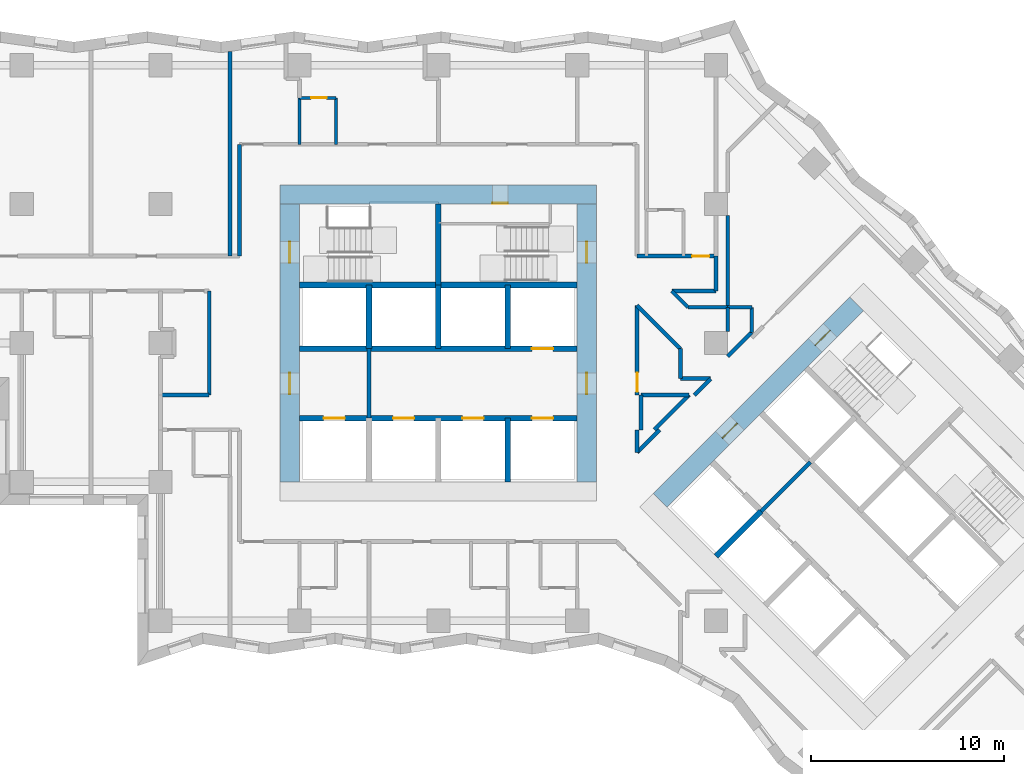
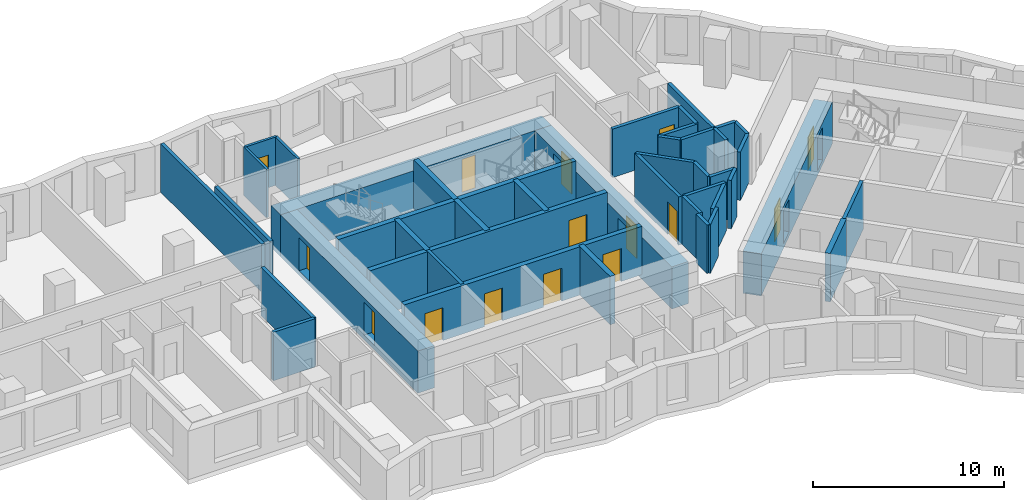
# One storey, part 5 of 12: 43 walls, 15 doors, 15 openings.
"""IFC4 building model written with IfcOpenShell, lengths in metres."""

from ifc_helpers import new_model, si_unit, direction, frame, frame_2d, origin, place, context, subcontext, project, spatial, rectangle, extrude, material, layer, layer_set, type_object, element, fill, save


model = new_model("IFC4")

# Units and contexts
model_context = context("Model", 3, precision=1e-05, world=origin(), true_north=direction((0.0, 1.0)))
body_context = subcontext(model_context, "Body", "Model", "MODEL_VIEW")
ifc_project = project(units=[si_unit("LENGTHUNIT", "METRE"), si_unit("AREAUNIT", "SQUARE_METRE"), si_unit("VOLUMEUNIT", "CUBIC_METRE"), si_unit("PLANEANGLEUNIT", "RADIAN"), si_unit("MASSUNIT", "GRAM", prefix="KILO")], contexts=[model_context])

# Site, building, storey
site_placement = place(None, origin())
site = spatial("IfcSite", under=ifc_project, at=site_placement, CompositionType="ELEMENT")
building_placement = place(site_placement, origin())
building = spatial("IfcBuilding", under=site, at=building_placement, Name="Windrow Commons", CompositionType="ELEMENT")
storey_placement = place(building_placement, frame((0.0, 0.0, 54.2)))
storey = spatial("IfcBuildingStorey", under=building, at=storey_placement, Name="L14", CompositionType="ELEMENT", Elevation=54.2)

# Walls
ifc_material_1 = material(Name="Blockwork partition", Category="masonry")
ifc_layer_1 = layer(ifc_material_1, 0.2)
ifc_layer_set_1 = layer_set([ifc_layer_1], Name="Fire lobby partition 200")
wall_type_1 = type_object("IfcWallType", Name="Fire lobby partition 200", PredefinedType="PARTITIONING", material=ifc_layer_set_1)
for number, where, z_axis, x_axis, name in (
    (1, (61.2, 53.7, 0.0), (0.0, 0.0, 1.0), (0.0, 1.0, 0.0), "W-core-lobby-A-L14"),
    (2, (81.5335, 48.8776, 0.0), (0.0, 0.0, 1.0), (0.707092892, 0.7071206701, 0.0), "W-core-lobby-B-L14"),
):
    element("IfcWall", number, at=place(storey_placement, frame(where, z_axis=z_axis, x_axis=x_axis)), inside=storey, type_object=wall_type_1, Name=name, PredefinedType="PARTITIONING", context=body_context, shape_type="SweptSolid", body=[
        extrude(rectangle(XDim=3.6, YDim=0.2, at=frame_2d((1.8, 0.0))), origin(), (0.0, 0.0, 1.0), 3.1),
    ])
ifc_material_2 = material(Name="Blockwork partition", Category="masonry")
ifc_layer_2 = layer(ifc_material_2, 0.2)
ifc_layer_set_2 = layer_set([ifc_layer_2], Name="IW-CORRIDOR-200")
wall_type_2 = type_object("IfcWallType", Name="IW-CORRIDOR-200", PredefinedType="PARTITIONING", material=ifc_layer_set_2)
wall_1_placement = place(storey_placement, frame((54.5, 62.102, 0.0), z_axis=(0.0, 0.0, 1.0), x_axis=(0.0, 1.0, 0.0)))
element("IfcWall", 3, at=wall_1_placement, inside=storey, type_object=wall_type_2, Name="W-L14-W033", PredefinedType="PARTITIONING", context=body_context, shape_type="SweptSolid", body=[
    extrude(rectangle(XDim=5.798, YDim=0.2, at=frame_2d((2.899, 0.0))), origin(), (0.0, 0.0, 1.0), 3.1),
])
wall_2_placement = place(storey_placement, frame((52.92, 54.9, 0.0), z_axis=(0.0, 0.0, 1.0), x_axis=(0.0, 1.0, 0.0)))
element("IfcWall", 4, at=wall_2_placement, inside=storey, type_object=wall_type_2, Name="W-L14-W039", PredefinedType="PARTITIONING", context=body_context, shape_type="SweptSolid", body=[
    extrude(rectangle(XDim=5.4, YDim=0.2, at=frame_2d((2.7, 0.0))), origin(), (0.0, 0.0, 1.0), 3.1),
])

# Wall, opening, door
wall_3_placement = place(storey_placement, frame((75.1, 54.9, 0.0), z_axis=(0.0, 0.0, 1.0), x_axis=(0.0, 1.0, 0.0)))
wall_3 = element("IfcWall", 5, at=wall_3_placement, inside=storey, type_object=wall_type_2, Name="W-L14-W043", PredefinedType="PARTITIONING", context=body_context, shape_type="SweptSolid", body=[
    extrude(rectangle(XDim=4.652, YDim=0.2, at=frame_2d((2.326, 0.0))), origin(), (0.0, 0.0, 1.0), 3.1),
])
opening_1_placement = place(wall_3_placement, frame((0.1613, 0.0, 0.0)))
opening_1 = element("IfcOpeningElement", 6, at=opening_1_placement, cuts=wall_3, Name="Opening D410F", PredefinedType="OPENING", context=body_context, shape_type="SweptSolid", body=[
    extrude(rectangle(XDim=1.0, YDim=2.1, at=frame_2d((0.5, 1.05))), frame((0.0, 0.11, 0.0), z_axis=(0.0, -1.0, 0.0), x_axis=(1.0, 0.0, 0.0)), (0.0, 0.0, 1.0), 0.22),
])
ifc_material_3 = material(Name="Timber door leaf", Category="wood")
door_type_1 = type_object("IfcDoorType", Name="DT-SERVICE-1000", OperationType="SINGLE_SWING_LEFT", PredefinedType="DOOR", material=ifc_material_3)
door_1_placement = place(opening_1_placement, origin())
door_1 = element("IfcDoor", 7, at=door_1_placement, inside=storey, type_object=door_type_1, Name="D-L14-D000", OperationType="SINGLE_SWING_LEFT", OverallHeight=2.1, OverallWidth=1.0, PredefinedType="DOOR", context=body_context, shape_type="SweptSolid", body=[
    extrude(rectangle(XDim=1.0, YDim=2.1, at=frame_2d((0.5, 1.05))), frame((0.0, 0.025, 0.0), z_axis=(0.0, -1.0, 0.0), x_axis=(1.0, 0.0, 0.0)), (0.0, 0.0, 1.0), 0.05),
])
fill(opening_1, door_1)

wall_4_placement = place(storey_placement, frame((75.102, 62.1, 0.0), z_axis=(0.0, 0.0, 1.0), x_axis=(1.0, 0.0, 0.0)))
wall_4 = element("IfcWall", 8, at=wall_4_placement, inside=storey, type_object=wall_type_2, Name="W-L14-W049", PredefinedType="PARTITIONING", context=body_context, shape_type="SweptSolid", body=[
    extrude(rectangle(XDim=4.098, YDim=0.2, at=frame_2d((2.049, 0.0))), origin(), (0.0, 0.0, 1.0), 3.1),
])
opening_2_placement = place(wall_4_placement, frame((2.848, 0.0, 0.0)))
opening_2 = element("IfcOpeningElement", 9, at=opening_2_placement, cuts=wall_4, Name="Opening D109S", PredefinedType="OPENING", context=body_context, shape_type="SweptSolid", body=[
    extrude(rectangle(XDim=0.9, YDim=2.1, at=frame_2d((0.45, 1.05))), frame((0.0, 0.11, 0.0), z_axis=(0.0, -1.0, 0.0), x_axis=(1.0, 0.0, 0.0)), (0.0, 0.0, 1.0), 0.22),
])
ifc_material_4 = material(Name="Timber door leaf", Category="wood")
door_type_2 = type_object("IfcDoorType", Name="DT-BEDROOM-900", OperationType="SINGLE_SWING_LEFT", PredefinedType="DOOR", material=ifc_material_4)
door_2_placement = place(opening_2_placement, origin())
door_2 = element("IfcDoor", 10, at=door_2_placement, inside=storey, type_object=door_type_2, Name="D-L14-D012", OperationType="SINGLE_SWING_LEFT", OverallHeight=2.1, OverallWidth=0.9, PredefinedType="DOOR", context=body_context, shape_type="SweptSolid", body=[
    extrude(rectangle(XDim=0.9, YDim=2.1, at=frame_2d((0.45, 1.05))), frame((0.0, 0.025, 0.0), z_axis=(0.0, -1.0, 0.0), x_axis=(1.0, 0.0, 0.0)), (0.0, 0.0, 1.0), 0.05),
])
fill(opening_2, door_2)

# Walls
wall_5_placement = place(storey_placement, frame((75.0986, 59.5486, 0.0), z_axis=(0.0, 0.0, 1.0), x_axis=(0.7071067812, -0.7071067812, 0.0)))
element("IfcWall", 11, at=wall_5_placement, inside=storey, type_object=wall_type_2, Name="W-L14-W055", PredefinedType="PARTITIONING", context=body_context, shape_type="SweptSolid", body=[
    extrude(rectangle(XDim=3.1792, YDim=0.2, at=frame_2d((1.5896, 0.0))), origin(), (0.0, 0.0, 1.0), 3.1),
])
wall_6_placement = place(storey_placement, frame((75.9971, 53.1009, 0.0), z_axis=(0.0, 0.0, 1.0), x_axis=(0.7071067812, 0.7071067812, 0.0)))
element("IfcWall", 12, at=wall_6_placement, inside=storey, type_object=wall_type_2, Name="W-L14-W062", PredefinedType="PARTITIONING", context=body_context, shape_type="SweptSolid", body=[
    extrude(rectangle(XDim=2.5456, YDim=0.2, at=frame_2d((1.2728, 0.0))), origin(), (0.0, 0.0, 1.0), 3.1),
])
wall_7_placement = place(storey_placement, frame((50.4, 54.9, 0.0), z_axis=(0.0, 0.0, 1.0), x_axis=(1.0, 0.0, 0.0)))
element("IfcWall", 13, at=wall_7_placement, inside=storey, type_object=wall_type_2, Name="W-L14-W063", PredefinedType="PARTITIONING", context=body_context, shape_type="SweptSolid", body=[
    extrude(rectangle(XDim=2.51, YDim=0.2, at=frame_2d((1.255, 0.0))), origin(), (0.0, 0.0, 1.0), 3.1),
])
wall_8_placement = place(storey_placement, frame((76.902, 60.3, 0.0), z_axis=(0.0, 0.0, 1.0), x_axis=(1.0, 0.0, 0.0)))
element("IfcWall", 14, at=wall_8_placement, inside=storey, type_object=wall_type_2, Name="W-L14-W094", PredefinedType="PARTITIONING", context=body_context, shape_type="SweptSolid", body=[
    extrude(rectangle(XDim=2.298, YDim=0.2, at=frame_2d((1.149, 0.0))), origin(), (0.0, 0.0, 1.0), 3.1),
])
wall_9_placement = place(storey_placement, frame((77.75, 59.45, 0.0), z_axis=(0.0, 0.0, 1.0), x_axis=(1.0, 0.0, 0.0)))
element("IfcWall", 15, at=wall_9_placement, inside=storey, type_object=wall_type_2, Name="W-L14-W104", PredefinedType="PARTITIONING", context=body_context, shape_type="SweptSolid", body=[
    extrude(rectangle(XDim=2.05, YDim=0.2, at=frame_2d((1.025, 0.0))), origin(), (0.0, 0.0, 1.0), 3.1),
])
for number, where, z_axis, x_axis, name in (
    (16, (79.2, 60.3, 0.0), (0.0, 0.0, 1.0), (0.0, 1.0, 0.0), "W-L14-W127"),
    (17, (75.3, 53.1, 0.0), (0.0, 0.0, 1.0), (0.0, 1.0, 0.0), "W-L14-W129"),
):
    element("IfcWall", number, at=place(storey_placement, frame(where, z_axis=z_axis, x_axis=x_axis)), inside=storey, type_object=wall_type_2, Name=name, PredefinedType="PARTITIONING", context=body_context, shape_type="SweptSolid", body=[
        extrude(rectangle(XDim=1.8, YDim=0.2, at=frame_2d((0.9, 0.0))), origin(), (0.0, 0.0, 1.0), 3.1),
    ])
wall_10_placement = place(storey_placement, frame((79.8011, 56.9049, 0.0), z_axis=(0.0, 0.0, 1.0), x_axis=(0.7071067812, 0.7071067812, 0.0)))
element("IfcWall", 18, at=wall_10_placement, inside=storey, type_object=wall_type_2, Name="W-L14-W133", PredefinedType="PARTITIONING", context=body_context, shape_type="SweptSolid", body=[
    extrude(rectangle(XDim=1.7649, YDim=0.2, at=frame_2d((0.8824, 0.0))), origin(), (0.0, 0.0, 1.0), 3.1),
])
wall_11_placement = place(storey_placement, frame((75.1015, 51.9225, 0.0), z_axis=(0.0, 0.0, 1.0), x_axis=(0.7071067812, 0.7071067812, 0.0)))
element("IfcWall", 19, at=wall_11_placement, inside=storey, type_object=wall_type_2, Name="W-L14-W135", PredefinedType="PARTITIONING", context=body_context, shape_type="SweptSolid", body=[
    extrude(rectangle(XDim=1.6631, YDim=0.2, at=frame_2d((0.8316, 0.0))), origin(), (0.0, 0.0, 1.0), 3.1),
])
for number, where, z_axis, x_axis, name in (
    (20, (77.35, 55.752, 0.0), (0.0, 0.0, 1.0), (0.0, 1.0, 0.0), "W-L14-W136"),
    (21, (77.352, 55.75, 0.0), (0.0, 0.0, 1.0), (1.0, 0.0, 0.0), "W-L14-W137"),
):
    element("IfcWall", number, at=place(storey_placement, frame(where, z_axis=z_axis, x_axis=x_axis)), inside=storey, type_object=wall_type_2, Name=name, PredefinedType="PARTITIONING", context=body_context, shape_type="SweptSolid", body=[
        extrude(rectangle(XDim=1.552, YDim=0.2, at=frame_2d((0.776, 0.0))), origin(), (0.0, 0.0, 1.0), 3.1),
    ])
wall_12_placement = place(storey_placement, frame((79.8, 58.2, 0.0), z_axis=(0.0, 0.0, 1.0), x_axis=(0.0, 1.0, 0.0)))
element("IfcWall", 22, at=wall_12_placement, inside=storey, type_object=wall_type_2, Name="W-L14-W143", PredefinedType="PARTITIONING", context=body_context, shape_type="SweptSolid", body=[
    extrude(rectangle(XDim=1.25, YDim=0.2, at=frame_2d((0.625, 0.0))), origin(), (0.0, 0.0, 1.0), 3.1),
])
wall_13_placement = place(storey_placement, frame((76.8974, 60.2954, 0.0), z_axis=(0.0, 0.0, 1.0), x_axis=(0.7071067812, -0.7071067812, 0.0)))
element("IfcWall", 23, at=wall_13_placement, inside=storey, type_object=wall_type_2, Name="W-L14-W145", PredefinedType="PARTITIONING", context=body_context, shape_type="SweptSolid", body=[
    extrude(rectangle(XDim=1.1993, YDim=0.2, at=frame_2d((0.5997, 0.0))), origin(), (0.0, 0.0, 1.0), 3.1),
])
wall_14_placement = place(storey_placement, frame((78.0795, 54.9005, 0.0), z_axis=(0.0, 0.0, 1.0), x_axis=(0.7071067812, 0.7071067812, 0.0)))
element("IfcWall", 24, at=wall_14_placement, inside=storey, type_object=wall_type_2, Name="W-L14-W146", PredefinedType="PARTITIONING", context=body_context, shape_type="SweptSolid", body=[
    extrude(rectangle(XDim=1.1823, YDim=0.2, at=frame_2d((0.5911, 0.0))), origin(), (0.0, 0.0, 1.0), 3.1),
])
wall_15_placement = place(storey_placement, frame((75.1, 51.922, 0.0), z_axis=(0.0, 0.0, 1.0), x_axis=(0.0, 1.0, 0.0)))
element("IfcWall", 25, at=wall_15_placement, inside=storey, type_object=wall_type_2, Name="W-L14-W147", PredefinedType="PARTITIONING", context=body_context, shape_type="SweptSolid", body=[
    extrude(rectangle(XDim=1.178, YDim=0.2, at=frame_2d((0.589, 0.0))), origin(), (0.0, 0.0, 1.0), 3.1),
])
ifc_material_5 = material(Name="Blockwork partition", Category="masonry")
ifc_layer_3 = layer(ifc_material_5, 0.15)
ifc_layer_set_3 = layer_set([ifc_layer_3], Name="IW-ENSUITE-150")
wall_type_3 = type_object("IfcWallType", Name="IW-ENSUITE-150", PredefinedType="PARTITIONING", material=ifc_layer_set_3)
for number, where, z_axis, x_axis, name in (
    (26, (59.5, 67.9, 0.0), (0.0, 0.0, 1.0), (0.0, 1.0, 0.0), "W-L14-W082"),
    (27, (57.6, 67.9, 0.0), (0.0, 0.0, 1.0), (0.0, 1.0, 0.0), "W-L14-W083"),
):
    element("IfcWall", number, at=place(storey_placement, frame(where, z_axis=z_axis, x_axis=x_axis)), inside=storey, type_object=wall_type_3, Name=name, PredefinedType="PARTITIONING", context=body_context, shape_type="SweptSolid", body=[
        extrude(rectangle(XDim=2.4, YDim=0.15, at=frame_2d((1.2, 0.0))), origin(), (0.0, 0.0, 1.0), 3.1),
    ])

# Wall, opening, door
wall_16_placement = place(storey_placement, frame((57.6, 70.3, 0.0), z_axis=(0.0, 0.0, 1.0), x_axis=(1.0, 0.0, 0.0)))
wall_16 = element("IfcWall", 28, at=wall_16_placement, inside=storey, type_object=wall_type_3, Name="W-L14-W115", PredefinedType="PARTITIONING", context=body_context, shape_type="SweptSolid", body=[
    extrude(rectangle(XDim=1.9, YDim=0.15, at=frame_2d((0.95, 0.0))), origin(), (0.0, 0.0, 1.0), 3.1),
])
opening_3_placement = place(wall_16_placement, frame((0.6069, 0.0, 0.0)))
opening_3 = element("IfcOpeningElement", 29, at=opening_3_placement, cuts=wall_16, Name="Opening D208N", PredefinedType="OPENING", context=body_context, shape_type="SweptSolid", body=[
    extrude(rectangle(XDim=0.8, YDim=2.1, at=frame_2d((0.4, 1.05))), frame((0.0, 0.085, 0.0), z_axis=(0.0, -1.0, 0.0), x_axis=(1.0, 0.0, 0.0)), (0.0, 0.0, 1.0), 0.17),
])
ifc_material_6 = material(Name="Timber door leaf", Category="wood")
door_type_3 = type_object("IfcDoorType", Name="DT-ENSUITE-800", OperationType="SINGLE_SWING_LEFT", PredefinedType="DOOR", material=ifc_material_6)
door_3_placement = place(opening_3_placement, origin())
door_3 = element("IfcDoor", 30, at=door_3_placement, inside=storey, type_object=door_type_3, Name="D-L14-D023", OperationType="SINGLE_SWING_RIGHT", OverallHeight=2.1, OverallWidth=0.8, PredefinedType="DOOR", context=body_context, shape_type="SweptSolid", body=[
    extrude(rectangle(XDim=0.8, YDim=2.1, at=frame_2d((0.4, 1.05))), frame((0.0, 0.025, 0.0), z_axis=(0.0, -1.0, 0.0), x_axis=(1.0, 0.0, 0.0)), (0.0, 0.0, 1.0), 0.05),
])
fill(opening_3, door_3)

# Walls
ifc_material_7 = material(Name="Blockwork partition", Category="masonry")
ifc_layer_4 = layer(ifc_material_7, 0.2)
ifc_layer_set_4 = layer_set([ifc_layer_4], Name="IW-PARTY-200")
wall_type_4 = type_object("IfcWallType", Name="IW-PARTY-200", PredefinedType="PARTITIONING", material=ifc_layer_set_4)
wall_17_placement = place(storey_placement, frame((54.0, 62.1, 0.0), z_axis=(0.0, 0.0, 1.0), x_axis=(0.0, 1.0, 0.0)))
element("IfcWall", 31, at=wall_17_placement, inside=storey, type_object=wall_type_4, Name="W-L14-W011", PredefinedType="PARTITIONING", context=body_context, shape_type="SweptSolid", body=[
    extrude(rectangle(XDim=10.6126, YDim=0.2, at=frame_2d((5.3063, 0.0))), origin(), (0.0, 0.0, 1.0), 3.1),
])
wall_18_placement = place(storey_placement, frame((79.8, 59.45, 0.0), z_axis=(0.0, 0.0, 1.0), x_axis=(0.0, 1.0, 0.0)))
element("IfcWall", 32, at=wall_18_placement, inside=storey, type_object=wall_type_4, Name="W-L14-W041", PredefinedType="PARTITIONING", context=body_context, shape_type="SweptSolid", body=[
    extrude(rectangle(XDim=4.75, YDim=0.2, at=frame_2d((2.375, 0.0))), origin(), (0.0, 0.0, 1.0), 3.1),
])
wall_19_placement = place(storey_placement, frame((75.3, 54.9, 0.0), z_axis=(0.0, 0.0, 1.0), x_axis=(1.0, 0.0, 0.0)))
element("IfcWall", 33, at=wall_19_placement, inside=storey, type_object=wall_type_4, Name="W-L14-W064", PredefinedType="PARTITIONING", context=body_context, shape_type="SweptSolid", body=[
    extrude(rectangle(XDim=2.498, YDim=0.2, at=frame_2d((1.249, 0.0))), origin(), (0.0, 0.0, 1.0), 3.1),
])
wall_20_placement = place(storey_placement, frame((81.05, 58.152, 0.0), z_axis=(0.0, 0.0, 1.0), x_axis=(0.0, 1.0, 0.0)))
element("IfcWall", 34, at=wall_20_placement, inside=storey, type_object=wall_type_4, Name="W-L14-W142", PredefinedType="PARTITIONING", context=body_context, shape_type="SweptSolid", body=[
    extrude(rectangle(XDim=1.296, YDim=0.2, at=frame_2d((0.648, 0.0))), origin(), (0.0, 0.0, 1.0), 3.1),
])
wall_21_placement = place(storey_placement, frame((79.8, 59.45, 0.0), z_axis=(0.0, 0.0, 1.0), x_axis=(1.0, 0.0, 0.0)))
element("IfcWall", 35, at=wall_21_placement, inside=storey, type_object=wall_type_4, Name="W-L14-W144", PredefinedType="PARTITIONING", context=body_context, shape_type="SweptSolid", body=[
    extrude(rectangle(XDim=1.248, YDim=0.2, at=frame_2d((0.624, 0.0))), origin(), (0.0, 0.0, 1.0), 3.1),
])

# Wall, opening, door
ifc_material_8 = material(Name="Concrete C60/75", Category="concrete")
ifc_layer_5 = layer(ifc_material_8, 1.0)
ifc_layer_set_5 = layer_set([ifc_layer_5], Name="RC CORE WALL 1000 C60/75")
wall_type_5 = type_object("IfcWallType", Name="RC CORE WALL 1000 C60/75", PredefinedType="SHEAR", material=ifc_layer_set_5)
wall_22_placement = place(storey_placement, frame((56.6, 65.3, -0.3), z_axis=(0.0, 0.0, 1.0), x_axis=(1.0, 0.0, 0.0)))
wall_22 = element("IfcWall", 36, at=wall_22_placement, inside=storey, type_object=wall_type_5, Name="Core A wall outer-N", PredefinedType="SHEAR", context=body_context, shape_type="SweptSolid", body=[
    extrude(rectangle(XDim=16.4, YDim=1.0, at=frame_2d((8.2, 0.0))), origin(), (0.0, 0.0, 1.0), 2.7),
])
opening_4_placement = place(wall_22_placement, frame((11.0, 0.0, 0.3)))
opening_4 = element("IfcOpeningElement", 37, at=opening_4_placement, cuts=wall_22, Name="Opening D9", PredefinedType="OPENING", context=body_context, shape_type="SweptSolid", body=[
    extrude(rectangle(XDim=0.8, YDim=2.1, at=frame_2d((0.4, 1.05))), frame((0.0, 0.51, 0.0), z_axis=(0.0, -1.0, 0.0), x_axis=(1.0, 0.0, 0.0)), (0.0, 0.0, 1.0), 1.02),
])
ifc_material_9 = material(Name="Steel fire door leaf", Category="steel")
door_type_4 = type_object("IfcDoorType", Name="Riser access door 800", OperationType="SINGLE_SWING_LEFT", PredefinedType="DOOR", material=ifc_material_9)
door_4_placement = place(opening_4_placement, origin())
door_4 = element("IfcDoor", 38, at=door_4_placement, inside=storey, type_object=door_type_4, Name="Riser access door", OperationType="SINGLE_SWING_RIGHT", OverallHeight=2.1, OverallWidth=0.8, PredefinedType="DOOR", context=body_context, shape_type="SweptSolid", body=[
    extrude(rectangle(XDim=0.8, YDim=2.1, at=frame_2d((0.4, 1.05))), frame((0.0, -0.44, 0.0), z_axis=(0.0, -1.0, 0.0), x_axis=(1.0, 0.0, 0.0)), (0.0, 0.0, 1.0), 0.05),
])
fill(opening_4, door_4)

# Wall, openings, doors
wall_23_placement = place(storey_placement, frame((57.1, 50.4, -0.3), z_axis=(0.0, 0.0, 1.0), x_axis=(0.0, 1.0, 0.0)))
wall_23 = element("IfcWall", 39, at=wall_23_placement, inside=storey, type_object=wall_type_5, Name="Core A wall outer-W", PredefinedType="SHEAR", context=body_context, shape_type="SweptSolid", body=[
    extrude(rectangle(XDim=14.4, YDim=1.0, at=frame_2d((7.2, 0.0))), origin(), (0.0, 0.0, 1.0), 2.7),
])
opening_5_placement = place(wall_23_placement, frame((4.55, 0.0, 0.3)))
opening_5 = element("IfcOpeningElement", 40, at=opening_5_placement, cuts=wall_23, Name="Opening D6", PredefinedType="OPENING", context=body_context, shape_type="SweptSolid", body=[
    extrude(rectangle(XDim=1.1, YDim=2.1, at=frame_2d((0.55, 1.05))), frame((0.0, 0.51, 0.0), z_axis=(0.0, -1.0, 0.0), x_axis=(1.0, 0.0, 0.0)), (0.0, 0.0, 1.0), 1.02),
])
opening_6_placement = place(wall_23_placement, frame((11.35, 0.0, 0.3)))
opening_6 = element("IfcOpeningElement", 41, at=opening_6_placement, cuts=wall_23, Name="Opening D7", PredefinedType="OPENING", context=body_context, shape_type="SweptSolid", body=[
    extrude(rectangle(XDim=1.1, YDim=2.1, at=frame_2d((0.55, 1.05))), frame((0.0, 0.51, 0.0), z_axis=(0.0, -1.0, 0.0), x_axis=(1.0, 0.0, 0.0)), (0.0, 0.0, 1.0), 1.02),
])
ifc_material_10 = material(Name="Steel fire door leaf", Category="steel")
door_type_5 = type_object("IfcDoorType", Name="Core lobby door 1100", OperationType="SINGLE_SWING_LEFT", PredefinedType="DOOR", material=ifc_material_10)
door_5_placement = place(opening_5_placement, origin())
door_5 = element("IfcDoor", 42, at=door_5_placement, inside=storey, type_object=door_type_5, Name="Lift lobby door", OperationType="DOUBLE_DOOR_SINGLE_SWING", OverallHeight=2.1, OverallWidth=1.1, PredefinedType="DOOR", context=body_context, shape_type="SweptSolid", body=[
    extrude(rectangle(XDim=1.1, YDim=2.1, at=frame_2d((0.55, 1.05))), frame((0.0, 0.025, 0.0), z_axis=(0.0, -1.0, 0.0), x_axis=(1.0, 0.0, 0.0)), (0.0, 0.0, 1.0), 0.05),
])
fill(opening_5, door_5)
ifc_material_11 = material(Name="Steel fire door leaf", Category="steel")
door_type_6 = type_object("IfcDoorType", Name="Stair door 1100", OperationType="SINGLE_SWING_LEFT", PredefinedType="DOOR", material=ifc_material_11)
door_6_placement = place(opening_6_placement, origin())
door_6 = element("IfcDoor", 43, at=door_6_placement, inside=storey, type_object=door_type_6, Name="Stair door", OperationType="SINGLE_SWING_LEFT", OverallHeight=2.1, OverallWidth=1.1, PredefinedType="DOOR", context=body_context, shape_type="SweptSolid", body=[
    extrude(rectangle(XDim=1.1, YDim=2.1, at=frame_2d((0.55, 1.05))), frame((0.0, 0.025, 0.0), z_axis=(0.0, -1.0, 0.0), x_axis=(1.0, 0.0, 0.0)), (0.0, 0.0, 1.0), 0.05),
])
fill(opening_6, door_6)

wall_24_placement = place(storey_placement, frame((72.5, 50.4, -0.3), z_axis=(0.0, 0.0, 1.0), x_axis=(0.0, 1.0, 0.0)))
wall_24 = element("IfcWall", 44, at=wall_24_placement, inside=storey, type_object=wall_type_5, Name="Core A wall outer-E", PredefinedType="SHEAR", context=body_context, shape_type="SweptSolid", body=[
    extrude(rectangle(XDim=14.4, YDim=1.0, at=frame_2d((7.2, 0.0))), origin(), (0.0, 0.0, 1.0), 2.7),
])
opening_7_placement = place(wall_24_placement, frame((4.55, 0.0, 0.3)))
opening_7 = element("IfcOpeningElement", 45, at=opening_7_placement, cuts=wall_24, Name="Opening D6", PredefinedType="OPENING", context=body_context, shape_type="SweptSolid", body=[
    extrude(rectangle(XDim=1.1, YDim=2.1, at=frame_2d((0.55, 1.05))), frame((0.0, 0.51, 0.0), z_axis=(0.0, -1.0, 0.0), x_axis=(1.0, 0.0, 0.0)), (0.0, 0.0, 1.0), 1.02),
])
opening_8_placement = place(wall_24_placement, frame((11.35, 0.0, 0.3)))
opening_8 = element("IfcOpeningElement", 46, at=opening_8_placement, cuts=wall_24, Name="Opening D7", PredefinedType="OPENING", context=body_context, shape_type="SweptSolid", body=[
    extrude(rectangle(XDim=1.1, YDim=2.1, at=frame_2d((0.55, 1.05))), frame((0.0, 0.51, 0.0), z_axis=(0.0, -1.0, 0.0), x_axis=(1.0, 0.0, 0.0)), (0.0, 0.0, 1.0), 1.02),
])
door_7_placement = place(opening_7_placement, origin())
door_7 = element("IfcDoor", 47, at=door_7_placement, inside=storey, type_object=door_type_5, Name="Lift lobby door", OperationType="DOUBLE_DOOR_SINGLE_SWING", OverallHeight=2.1, OverallWidth=1.1, PredefinedType="DOOR", context=body_context, shape_type="SweptSolid", body=[
    extrude(rectangle(XDim=1.1, YDim=2.1, at=frame_2d((0.55, 1.05))), frame((0.0, 0.025, 0.0), z_axis=(0.0, -1.0, 0.0), x_axis=(1.0, 0.0, 0.0)), (0.0, 0.0, 1.0), 0.05),
])
fill(opening_7, door_7)
door_8_placement = place(opening_8_placement, origin())
door_8 = element("IfcDoor", 48, at=door_8_placement, inside=storey, type_object=door_type_6, Name="Stair door", OperationType="SINGLE_SWING_RIGHT", OverallHeight=2.1, OverallWidth=1.1, PredefinedType="DOOR", context=body_context, shape_type="SweptSolid", body=[
    extrude(rectangle(XDim=1.1, YDim=2.1, at=frame_2d((0.55, 1.05))), frame((0.0, 0.025, 0.0), z_axis=(0.0, -1.0, 0.0), x_axis=(1.0, 0.0, 0.0)), (0.0, 0.0, 1.0), 0.05),
])
fill(opening_8, door_8)

wall_25_placement = place(storey_placement, frame((76.3009, 49.4433, -0.3), z_axis=(0.0, 0.0, 1.0), x_axis=(0.7071067812, 0.7071067812, 0.0)))
wall_25 = element("IfcWall", 49, at=wall_25_placement, inside=storey, type_object=wall_type_5, Name="Core B wall outer-W", PredefinedType="SHEAR", context=body_context, shape_type="SweptSolid", body=[
    extrude(rectangle(XDim=14.3999, YDim=1.0, at=frame_2d((7.2, 0.0))), origin(), (0.0, 0.0, 1.0), 2.7),
])
opening_9_placement = place(wall_25_placement, frame((4.55, 0.0, 0.3)))
opening_9 = element("IfcOpeningElement", 50, at=opening_9_placement, cuts=wall_25, Name="Opening D6", PredefinedType="OPENING", context=body_context, shape_type="SweptSolid", body=[
    extrude(rectangle(XDim=1.1, YDim=2.1, at=frame_2d((0.55, 1.05))), frame((0.0, 0.51, 0.0), z_axis=(0.0, -1.0, 0.0), x_axis=(1.0, 0.0, 0.0)), (0.0, 0.0, 1.0), 1.02),
])
opening_10_placement = place(wall_25_placement, frame((11.35, 0.0, 0.3)))
opening_10 = element("IfcOpeningElement", 51, at=opening_10_placement, cuts=wall_25, Name="Opening D7", PredefinedType="OPENING", context=body_context, shape_type="SweptSolid", body=[
    extrude(rectangle(XDim=1.1, YDim=2.1, at=frame_2d((0.55, 1.05))), frame((0.0, 0.51, 0.0), z_axis=(0.0, -1.0, 0.0), x_axis=(1.0, 0.0, 0.0)), (0.0, 0.0, 1.0), 1.02),
])
door_9_placement = place(opening_9_placement, origin())
door_9 = element("IfcDoor", 52, at=door_9_placement, inside=storey, type_object=door_type_5, Name="Lift lobby door", OperationType="DOUBLE_DOOR_SINGLE_SWING", OverallHeight=2.1, OverallWidth=1.1, PredefinedType="DOOR", context=body_context, shape_type="SweptSolid", body=[
    extrude(rectangle(XDim=1.1, YDim=2.1, at=frame_2d((0.55, 1.05))), frame((0.0, 0.025, 0.0), z_axis=(0.0, -1.0, 0.0), x_axis=(1.0, 0.0, 0.0)), (0.0, 0.0, 1.0), 0.05),
])
fill(opening_9, door_9)
door_10_placement = place(opening_10_placement, origin())
door_10 = element("IfcDoor", 53, at=door_10_placement, inside=storey, type_object=door_type_6, Name="Stair door", OperationType="SINGLE_SWING_LEFT", OverallHeight=2.1, OverallWidth=1.1, PredefinedType="DOOR", context=body_context, shape_type="SweptSolid", body=[
    extrude(rectangle(XDim=1.1, YDim=2.1, at=frame_2d((0.55, 1.05))), frame((0.0, 0.025, 0.0), z_axis=(0.0, -1.0, 0.0), x_axis=(1.0, 0.0, 0.0)), (0.0, 0.0, 1.0), 0.05),
])
fill(opening_10, door_10)

# Walls
ifc_material_12 = material(Name="Concrete C60/75", Category="concrete")
ifc_layer_6 = layer(ifc_material_12, 0.3)
ifc_layer_set_6 = layer_set([ifc_layer_6], Name="RC SHAFT WALL 300 C60/75")
wall_type_6 = type_object("IfcWallType", Name="RC SHAFT WALL 300 C60/75", PredefinedType="SOLIDWALL", material=ifc_layer_set_6)
for number, where, z_axis, x_axis, name in (
    (54, (61.2, 57.3, 0.0), (0.0, 0.0, 1.0), (0.0, 1.0, 0.0), "Core A wall shaft-N1"),
    (55, (64.8, 57.3, 0.0), (0.0, 0.0, 1.0), (0.0, 1.0, 0.0), "Core A wall shaft-N2"),
    (56, (68.4, 50.4, 0.0), (0.0, 0.0, 1.0), (0.0, 1.0, 0.0), "Core A wall shaft-S3"),
    (57, (68.4, 57.3, 0.0), (0.0, 0.0, 1.0), (0.0, 1.0, 0.0), "Core A wall shaft-N3"),
):
    element("IfcWall", number, at=place(storey_placement, frame(where, z_axis=z_axis, x_axis=x_axis)), inside=storey, type_object=wall_type_6, Name=name, PredefinedType="SOLIDWALL", context=body_context, shape_type="SweptSolid", body=[
        extrude(rectangle(XDim=3.3, YDim=0.3, at=frame_2d((1.65, 0.0))), origin(), (0.0, 0.0, 1.0), 3.1),
    ])

# Wall, openings, doors
wall_26_placement = place(storey_placement, frame((57.6, 53.7, 0.0), z_axis=(0.0, 0.0, 1.0), x_axis=(1.0, 0.0, 0.0)))
wall_26 = element("IfcWall", 58, at=wall_26_placement, inside=storey, type_object=wall_type_6, Name="Core A wall lobby-S", PredefinedType="SOLIDWALL", context=body_context, shape_type="SweptSolid", body=[
    extrude(rectangle(XDim=14.4, YDim=0.3, at=frame_2d((7.2, 0.0))), origin(), (0.0, 0.0, 1.0), 3.1),
])
opening_11_placement = place(wall_26_placement, frame((1.25, 0.0, 0.0)))
opening_11 = element("IfcOpeningElement", 59, at=opening_11_placement, cuts=wall_26, Name="Opening LD", PredefinedType="OPENING", context=body_context, shape_type="SweptSolid", body=[
    extrude(rectangle(XDim=1.1, YDim=2.1, at=frame_2d((0.55, 1.05))), frame((0.0, 0.16, 0.0), z_axis=(0.0, -1.0, 0.0), x_axis=(1.0, 0.0, 0.0)), (0.0, 0.0, 1.0), 0.32),
])
opening_12_placement = place(wall_26_placement, frame((4.85, 0.0, 0.0)))
opening_12 = element("IfcOpeningElement", 60, at=opening_12_placement, cuts=wall_26, Name="Opening LD", PredefinedType="OPENING", context=body_context, shape_type="SweptSolid", body=[
    extrude(rectangle(XDim=1.1, YDim=2.1, at=frame_2d((0.55, 1.05))), frame((0.0, 0.16, 0.0), z_axis=(0.0, -1.0, 0.0), x_axis=(1.0, 0.0, 0.0)), (0.0, 0.0, 1.0), 0.32),
])
opening_13_placement = place(wall_26_placement, frame((8.45, 0.0, 0.0)))
opening_13 = element("IfcOpeningElement", 61, at=opening_13_placement, cuts=wall_26, Name="Opening LD", PredefinedType="OPENING", context=body_context, shape_type="SweptSolid", body=[
    extrude(rectangle(XDim=1.1, YDim=2.1, at=frame_2d((0.55, 1.05))), frame((0.0, 0.16, 0.0), z_axis=(0.0, -1.0, 0.0), x_axis=(1.0, 0.0, 0.0)), (0.0, 0.0, 1.0), 0.32),
])
opening_14_placement = place(wall_26_placement, frame((12.05, 0.0, 0.0)))
opening_14 = element("IfcOpeningElement", 62, at=opening_14_placement, cuts=wall_26, Name="Opening LD", PredefinedType="OPENING", context=body_context, shape_type="SweptSolid", body=[
    extrude(rectangle(XDim=1.1, YDim=2.1, at=frame_2d((0.55, 1.05))), frame((0.0, 0.16, 0.0), z_axis=(0.0, -1.0, 0.0), x_axis=(1.0, 0.0, 0.0)), (0.0, 0.0, 1.0), 0.32),
])
ifc_material_13 = material(Name="Stainless steel door leaf", Category="steel")
door_type_7 = type_object("IfcDoorType", Name="Lift landing door 1100", OperationType="SLIDING_TO_LEFT", PredefinedType="DOOR", material=ifc_material_13)
door_11_placement = place(opening_11_placement, origin())
door_11 = element("IfcDoor", 63, at=door_11_placement, inside=storey, type_object=door_type_7, Name="Lift landing door", OperationType="SLIDING_TO_LEFT", OverallHeight=2.1, OverallWidth=1.1, PredefinedType="DOOR", context=body_context, shape_type="SweptSolid", body=[
    extrude(rectangle(XDim=1.1, YDim=2.1, at=frame_2d((0.55, 1.05))), frame((0.0, 0.025, 0.0), z_axis=(0.0, -1.0, 0.0), x_axis=(1.0, 0.0, 0.0)), (0.0, 0.0, 1.0), 0.05),
])
fill(opening_11, door_11)
door_12_placement = place(opening_12_placement, origin())
door_12 = element("IfcDoor", 64, at=door_12_placement, inside=storey, type_object=door_type_7, Name="Lift landing door", OperationType="SLIDING_TO_RIGHT", OverallHeight=2.1, OverallWidth=1.1, PredefinedType="DOOR", context=body_context, shape_type="SweptSolid", body=[
    extrude(rectangle(XDim=1.1, YDim=2.1, at=frame_2d((0.55, 1.05))), frame((0.0, 0.025, 0.0), z_axis=(0.0, -1.0, 0.0), x_axis=(1.0, 0.0, 0.0)), (0.0, 0.0, 1.0), 0.05),
])
fill(opening_12, door_12)
door_13_placement = place(opening_13_placement, origin())
door_13 = element("IfcDoor", 65, at=door_13_placement, inside=storey, type_object=door_type_7, Name="Lift landing door", OperationType="SLIDING_TO_LEFT", OverallHeight=2.1, OverallWidth=1.1, PredefinedType="DOOR", context=body_context, shape_type="SweptSolid", body=[
    extrude(rectangle(XDim=1.1, YDim=2.1, at=frame_2d((0.55, 1.05))), frame((0.0, 0.025, 0.0), z_axis=(0.0, -1.0, 0.0), x_axis=(1.0, 0.0, 0.0)), (0.0, 0.0, 1.0), 0.05),
])
fill(opening_13, door_13)
door_14_placement = place(opening_14_placement, origin())
door_14 = element("IfcDoor", 66, at=door_14_placement, inside=storey, type_object=door_type_7, Name="Lift landing door", OperationType="SLIDING_TO_RIGHT", OverallHeight=2.1, OverallWidth=1.1, PredefinedType="DOOR", context=body_context, shape_type="SweptSolid", body=[
    extrude(rectangle(XDim=1.1, YDim=2.1, at=frame_2d((0.55, 1.05))), frame((0.0, 0.025, 0.0), z_axis=(0.0, -1.0, 0.0), x_axis=(1.0, 0.0, 0.0)), (0.0, 0.0, 1.0), 0.05),
])
fill(opening_14, door_14)

# Wall, opening, door
wall_27_placement = place(storey_placement, frame((57.6, 57.3, 0.0), z_axis=(0.0, 0.0, 1.0), x_axis=(1.0, 0.0, 0.0)))
wall_27 = element("IfcWall", 67, at=wall_27_placement, inside=storey, type_object=wall_type_6, Name="Core A wall lobby-N", PredefinedType="SOLIDWALL", context=body_context, shape_type="SweptSolid", body=[
    extrude(rectangle(XDim=14.4, YDim=0.3, at=frame_2d((7.2, 0.0))), origin(), (0.0, 0.0, 1.0), 3.1),
])
opening_15_placement = place(wall_27_placement, frame((12.05, 0.0, 0.0)))
opening_15 = element("IfcOpeningElement", 68, at=opening_15_placement, cuts=wall_27, Name="Opening LD", PredefinedType="OPENING", context=body_context, shape_type="SweptSolid", body=[
    extrude(rectangle(XDim=1.1, YDim=2.1, at=frame_2d((0.55, 1.05))), frame((0.0, 0.16, 0.0), z_axis=(0.0, -1.0, 0.0), x_axis=(1.0, 0.0, 0.0)), (0.0, 0.0, 1.0), 0.32),
])
door_15_placement = place(opening_15_placement, origin())
door_15 = element("IfcDoor", 69, at=door_15_placement, inside=storey, type_object=door_type_7, Name="Lift landing door", OperationType="SLIDING_TO_RIGHT", OverallHeight=2.1, OverallWidth=1.1, PredefinedType="DOOR", context=body_context, shape_type="SweptSolid", body=[
    extrude(rectangle(XDim=1.1, YDim=2.1, at=frame_2d((0.55, 1.05))), frame((0.0, 0.025, 0.0), z_axis=(0.0, -1.0, 0.0), x_axis=(1.0, 0.0, 0.0)), (0.0, 0.0, 1.0), 0.05),
])
fill(opening_15, door_15)

# Walls
for number, where, z_axis, x_axis, name in (
    (70, (57.6, 60.6, 0.0), (0.0, 0.0, 1.0), (1.0, 0.0, 0.0), "Core A wall stair-S"),
    (71, (64.8, 60.6, 0.0), (0.0, 0.0, 1.0), (1.0, 0.0, 0.0), "Core A wall stair-S2"),
):
    element("IfcWall", number, at=place(storey_placement, frame(where, z_axis=z_axis, x_axis=x_axis)), inside=storey, type_object=wall_type_6, Name=name, PredefinedType="SOLIDWALL", context=body_context, shape_type="SweptSolid", body=[
        extrude(rectangle(XDim=7.2, YDim=0.3, at=frame_2d((3.6, 0.0))), origin(), (0.0, 0.0, 1.0), 3.1),
    ])
wall_28_placement = place(storey_placement, frame((64.8, 60.6, 0.0), z_axis=(0.0, 0.0, 1.0), x_axis=(0.0, 1.0, 0.0)))
element("IfcWall", 72, at=wall_28_placement, inside=storey, type_object=wall_type_6, Name="Core A wall stair-mid", PredefinedType="SOLIDWALL", context=body_context, shape_type="SweptSolid", body=[
    extrude(rectangle(XDim=4.2, YDim=0.3, at=frame_2d((2.1, 0.0))), origin(), (0.0, 0.0, 1.0), 3.1),
])
wall_29_placement = place(storey_placement, frame((79.2, 46.5442, 0.0), z_axis=(0.0, 0.0, 1.0), x_axis=(0.7071219326, 0.7070916295, 0.0)))
element("IfcWall", 73, at=wall_29_placement, inside=storey, type_object=wall_type_6, Name="Core B wall shaft-S1", PredefinedType="SOLIDWALL", context=body_context, shape_type="SweptSolid", body=[
    extrude(rectangle(XDim=3.3, YDim=0.3, at=frame_2d((1.65, 0.0))), origin(), (0.0, 0.0, 1.0), 3.1),
])

save(model, "model.ifc")
